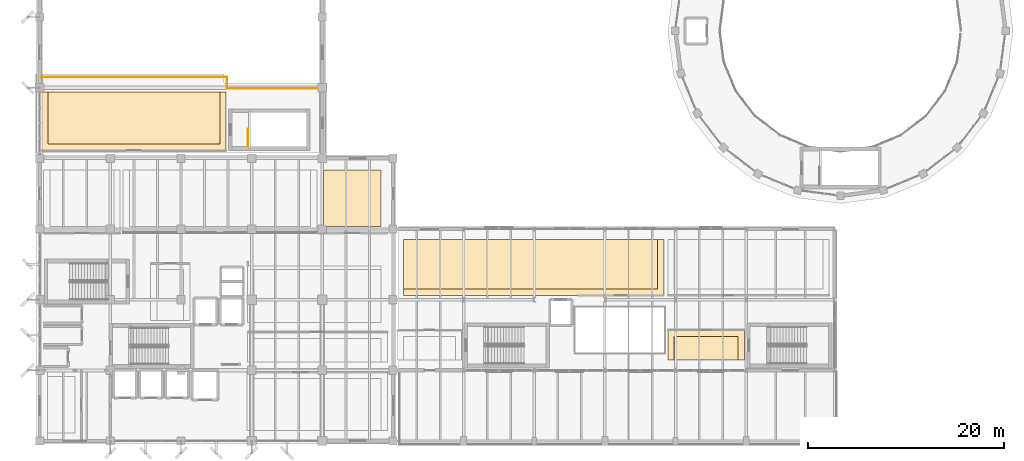
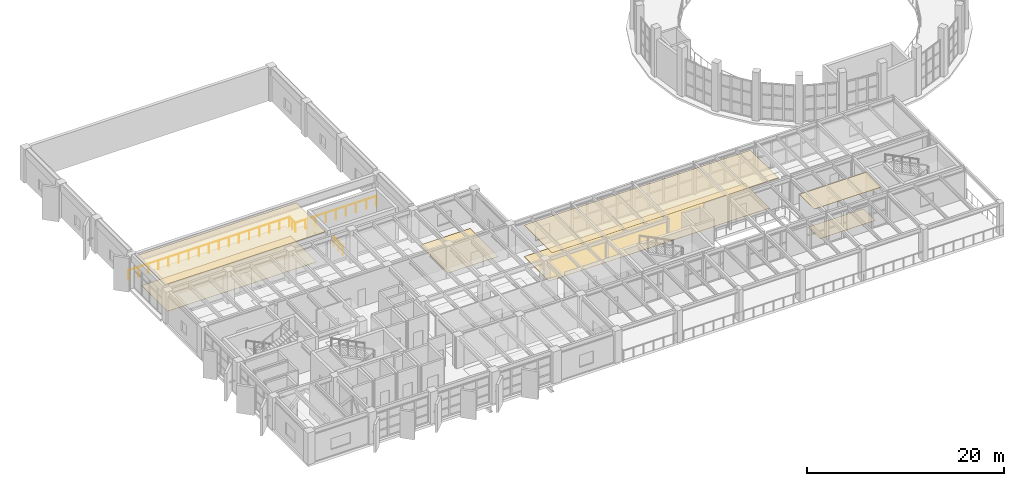
# One storey, part 57 of 59: 7 coverings, 2 railings.
"""IFC4 building model written with IfcOpenShell, lengths in metres."""

from ifc_helpers import new_model, si_unit, direction, frame, origin, origin_2d, place, context, subcontext, project, spatial, polyline, circle, outline, extrude, material, layer, layer_set, type_object, element, save


model = new_model("IFC4")

# Units and contexts
model_context = context("Model", 3, precision=1e-05, world=origin(), true_north=direction((0.0, 1.0)))
body_context = subcontext(model_context, "Body", "Model", "MODEL_VIEW")
ifc_project = project(units=[si_unit("LENGTHUNIT", "METRE"), si_unit("AREAUNIT", "SQUARE_METRE"), si_unit("VOLUMEUNIT", "CUBIC_METRE"), si_unit("PLANEANGLEUNIT", "RADIAN"), si_unit("MASSUNIT", "GRAM", prefix="KILO")], contexts=[model_context])

# Site, building, storey
site_placement = place(None, origin())
site = spatial("IfcSite", under=ifc_project, at=site_placement, CompositionType="ELEMENT")
building_placement = place(site_placement, origin())
building = spatial("IfcBuilding", under=site, at=building_placement, Name="Kandorven Conservatory and Botanical Research Centre", CompositionType="ELEMENT")
storey_placement = place(building_placement, frame((0.0, 0.0, 4.800048828125)))
storey = spatial("IfcBuildingStorey", under=building, at=storey_placement, Name="L01", CompositionType="ELEMENT", Elevation=4.800048828125)

# Coverings
ifc_material_1 = material(Name="Perforated mineral-fibre acoustic ceiling tile", Category="gypsum")
ifc_layer_1 = layer(ifc_material_1, 0.0400390625)
ifc_layer_set_1 = layer_set([ifc_layer_1], Name="Perforated mineral-fibre acoustic ceiling tile")
covering_type_1 = type_object("IfcCoveringType", Name="Cov_Ceiling_1", PredefinedType="CEILING", material=ifc_layer_set_1)
covering_1_placement = place(storey_placement, frame((0.0, 0.0, 3.889892578125)))
element("IfcCovering", 1, at=covering_1_placement, inside=storey, type_object=covering_type_1, Name="Suspended acoustic ceiling CLG-01 (Sacred Groves of Western India Exhibition Gallery)", PredefinedType="CEILING", context=body_context, shape_type="SweptSolid", body=[
    extrude(outline(polyline([(70.0, 14.25), (77.800048828125, 14.25), (77.800048828125, 17.300048828125), (70.0, 17.300048828125), (70.0, 14.25)])), origin(), (0.0, 0.0, 1.0), 0.0400390625),
])
covering_2_placement = place(storey_placement, frame((0.0, 0.0, 3.889892578125)))
element("IfcCovering", 2, at=covering_2_placement, inside=storey, type_object=covering_type_1, Name="Suspended acoustic ceiling CLG-01 (Arid Lands Ecology Exhibition Gallery)", PredefinedType="CEILING", context=body_context, shape_type="SweptSolid", body=[
    extrude(outline(polyline([(43.050048828125, 20.85009765625), (69.60009765625, 20.85009765625), (69.60009765625, 26.550048828125), (43.050048828125, 26.550048828125), (43.050048828125, 20.85009765625)])), origin(), (0.0, 0.0, 1.0), 0.0400390625),
])
covering_3_placement = place(storey_placement, frame((0.0, 0.0, 3.889892578125)))
element("IfcCovering", 3, at=covering_3_placement, inside=storey, type_object=covering_type_1, Name="Suspended acoustic ceiling CLG-01 (Auditorium Projection Gallery and Acoustic Control Room)", PredefinedType="CEILING", context=body_context, shape_type="SweptSolid", body=[
    extrude(outline(polyline([(6.199951171875, 35.60009765625), (25.0, 35.60009765625), (25.0, 41.550048828125), (6.199951171875, 41.550048828125), (6.199951171875, 35.60009765625)])), origin(), (0.0, 0.0, 1.0), 0.0400390625),
])
ifc_material_2 = material(Name="Honed Kota stone and epoxy laboratory flooring", Category="masonry")
ifc_layer_2 = layer(ifc_material_2, 0.02490234375)
ifc_layer_set_2 = layer_set([ifc_layer_2], Name="Honed Kota stone and epoxy laboratory flooring")
covering_type_2 = type_object("IfcCoveringType", Name="Cov_Flooring_1", PredefinedType="FLOORING", material=ifc_layer_set_2)
covering_4_placement = place(storey_placement, origin())
element("IfcCovering", 4, at=covering_4_placement, inside=storey, type_object=covering_type_2, Name="Floor finish FLR-01 (Sacred Groves of Western India Exhibition Gallery)", PredefinedType="FLOORING", context=body_context, shape_type="SweptSolid", body=[
    extrude(outline(polyline([(70.64990234375, 14.25), (77.14990234375, 14.25), (77.14990234375, 16.64990234375), (70.64990234375, 16.64990234375), (70.64990234375, 14.25)])), origin(), (0.0, 0.0, 1.0), 0.02490234375),
])
covering_5_placement = place(storey_placement, origin())
element("IfcCovering", 5, at=covering_5_placement, inside=storey, type_object=covering_type_2, Name="Floor finish FLR-01 (Arid Lands Ecology Exhibition Gallery)", PredefinedType="FLOORING", context=body_context, shape_type="SweptSolid", body=[
    extrude(outline(polyline([(43.050048828125, 21.5), (68.949951171875, 21.5), (68.949951171875, 26.550048828125), (43.050048828125, 26.550048828125), (43.050048828125, 21.5)])), origin(), (0.0, 0.0, 1.0), 0.02490234375),
])
covering_6_placement = place(storey_placement, origin())
element("IfcCovering", 6, at=covering_6_placement, inside=storey, type_object=covering_type_2, Name="Floor finish FLR-01 (Auditorium Projection Gallery and Acoustic Control Room)", PredefinedType="FLOORING", context=body_context, shape_type="SweptSolid", body=[
    extrude(outline(polyline([(6.85009765625, 36.25), (24.35009765625, 36.25), (24.35009765625, 41.550048828125), (6.85009765625, 41.550048828125), (6.85009765625, 36.25)])), origin(), (0.0, 0.0, 1.0), 0.02490234375),
])
covering_7_placement = place(storey_placement, origin())
element("IfcCovering", 7, at=covering_7_placement, inside=storey, type_object=covering_type_2, Name="Floor finish FLR-01 (Botanical Voucher Specimen Intake Studio L01)", PredefinedType="FLOORING", context=body_context, shape_type="SweptSolid", body=[
    extrude(outline(polyline([(34.919921875, 27.85009765625), (40.800048828125, 27.85009765625), (40.800048828125, 33.60009765625), (34.919921875, 33.60009765625), (34.919921875, 27.85009765625)])), origin(), (0.0, 0.0, 1.0), 0.02490234375),
])

# Railings
ifc_material_3 = material(Name="Steel S355 (IS 2062 E350)", Category="steel")
railing_type_1 = type_object("IfcRailingType", Name="Guard_Terrace", PredefinedType="BALUSTRADE", material=ifc_material_3)
railing_1_placement = place(storey_placement, frame((6.199951171875, 43.10009765625, 0.0)))
element("IfcRailing", 8, at=railing_1_placement, inside=storey, type_object=railing_type_1, Name="Auditorium L01 balcony front guard balustrade GR-01", PredefinedType="BALUSTRADE", context=body_context, shape_type="SweptSolid", body=[
    extrude(circle(Radius=0.02392578125, at=origin_2d()), frame((0.0, 0.0, 1.17578125), z_axis=(1.0, 0.0, 0.0), x_axis=(0.0, 1.0, 0.0)), (0.0, 0.0, 1.0), 18.900146484375),
    extrude(circle(Radius=0.02392578125, at=origin_2d()), frame((18.900146484375, 0.0, 1.17578125), z_axis=(0.0, -1.0, 0.0), x_axis=(1.0, 0.0, 0.0)), (0.0, 0.0, 1.0), 1.2001953125),
    extrude(circle(Radius=0.02392578125, at=origin_2d()), frame((18.900146484375, -1.2001953125, 1.17578125), z_axis=(1.0, 0.0, 0.0), x_axis=(0.0, 1.0, 0.0)), (0.0, 0.0, 1.0), 9.5),
    extrude(circle(Radius=0.02099609375, at=origin_2d()), origin(), (0.0, 0.0, 1.0), 1.15185546875),
    extrude(circle(Radius=0.02099609375, at=origin_2d()), frame((1.18115234375, 0.0, 0.0)), (0.0, 0.0, 1.0), 1.15185546875),
    extrude(circle(Radius=0.02099609375, at=origin_2d()), frame((2.362548828125, 0.0, 0.0)), (0.0, 0.0, 1.0), 1.15185546875),
    extrude(circle(Radius=0.02099609375, at=origin_2d()), frame((3.543701171875, 0.0, 0.0)), (0.0, 0.0, 1.0), 1.15185546875),
    extrude(circle(Radius=0.02099609375, at=origin_2d()), frame((4.72509765625, 0.0, 0.0)), (0.0, 0.0, 1.0), 1.15185546875),
    extrude(circle(Radius=0.02099609375, at=origin_2d()), frame((5.90625, 0.0, 0.0)), (0.0, 0.0, 1.0), 1.15185546875),
    extrude(circle(Radius=0.02099609375, at=origin_2d()), frame((7.087646484375, 0.0, 0.0)), (0.0, 0.0, 1.0), 1.15185546875),
    extrude(circle(Radius=0.02099609375, at=origin_2d()), frame((8.268798828125, 0.0, 0.0)), (0.0, 0.0, 1.0), 1.15185546875),
    extrude(circle(Radius=0.02099609375, at=origin_2d()), frame((9.4501953125, 0.0, 0.0)), (0.0, 0.0, 1.0), 1.15185546875),
    extrude(circle(Radius=0.02099609375, at=origin_2d()), frame((10.63134765625, 0.0, 0.0)), (0.0, 0.0, 1.0), 1.15185546875),
    extrude(circle(Radius=0.02099609375, at=origin_2d()), frame((11.8125, 0.0, 0.0)), (0.0, 0.0, 1.0), 1.15185546875),
    extrude(circle(Radius=0.02099609375, at=origin_2d()), frame((12.993896484375, 0.0, 0.0)), (0.0, 0.0, 1.0), 1.15185546875),
    extrude(circle(Radius=0.02099609375, at=origin_2d()), frame((14.175048828125, 0.0, 0.0)), (0.0, 0.0, 1.0), 1.15185546875),
    extrude(circle(Radius=0.02099609375, at=origin_2d()), frame((15.3564453125, 0.0, 0.0)), (0.0, 0.0, 1.0), 1.15185546875),
    extrude(circle(Radius=0.02099609375, at=origin_2d()), frame((16.53759765625, 0.0, 0.0)), (0.0, 0.0, 1.0), 1.15185546875),
    extrude(circle(Radius=0.02099609375, at=origin_2d()), frame((17.718994140625, 0.0, 0.0)), (0.0, 0.0, 1.0), 1.15185546875),
    extrude(circle(Radius=0.02099609375, at=origin_2d()), frame((18.900146484375, 0.0, 0.0)), (0.0, 0.0, 1.0), 1.15185546875),
    extrude(circle(Radius=0.02099609375, at=origin_2d()), frame((18.900146484375, -0.60009765625, 0.0)), (0.0, 0.0, 1.0), 1.15185546875),
    extrude(circle(Radius=0.02099609375, at=origin_2d()), frame((18.900146484375, -1.2001953125, 0.0)), (0.0, 0.0, 1.0), 1.15185546875),
    extrude(circle(Radius=0.02099609375, at=origin_2d()), frame((20.087646484375, -1.2001953125, 0.0)), (0.0, 0.0, 1.0), 1.15185546875),
    extrude(circle(Radius=0.02099609375, at=origin_2d()), frame((21.275146484375, -1.2001953125, 0.0)), (0.0, 0.0, 1.0), 1.15185546875),
    extrude(circle(Radius=0.02099609375, at=origin_2d()), frame((22.462646484375, -1.2001953125, 0.0)), (0.0, 0.0, 1.0), 1.15185546875),
    extrude(circle(Radius=0.02099609375, at=origin_2d()), frame((23.650146484375, -1.2001953125, 0.0)), (0.0, 0.0, 1.0), 1.15185546875),
    extrude(circle(Radius=0.02099609375, at=origin_2d()), frame((24.837646484375, -1.2001953125, 0.0)), (0.0, 0.0, 1.0), 1.15185546875),
    extrude(circle(Radius=0.02099609375, at=origin_2d()), frame((26.025146484375, -1.2001953125, 0.0)), (0.0, 0.0, 1.0), 1.15185546875),
    extrude(circle(Radius=0.02099609375, at=origin_2d()), frame((27.212646484375, -1.2001953125, 0.0)), (0.0, 0.0, 1.0), 1.15185546875),
    extrude(circle(Radius=0.02099609375, at=origin_2d()), frame((28.400146484375, -1.2001953125, 0.0)), (0.0, 0.0, 1.0), 1.15185546875),
])
ifc_material_4 = material(Name="Steel S355 (IS 2062 E350)", Category="steel")
railing_type_2 = type_object("IfcRailingType", Name="StairGuard_1150", PredefinedType="BALUSTRADE", material=ifc_material_4)
railing_2_placement = place(storey_placement, frame((27.25, 36.0, 0.0)))
element("IfcRailing", 9, at=railing_2_placement, inside=storey, type_object=railing_type_2, Name="L01 ST-V2 top well guard 1", PredefinedType="BALUSTRADE", context=body_context, shape_type="SweptSolid", body=[
    extrude(circle(Radius=0.02392578125, at=origin_2d()), frame((0.0, 0.0, 1.17578125), z_axis=(0.0, 1.0, 0.0), x_axis=(-1.0, 0.0, 0.0)), (0.0, 0.0, 1.0), 1.800048828125),
    extrude(circle(Radius=0.02099609375, at=origin_2d()), origin(), (0.0, 0.0, 1.0), 1.15185546875),
    extrude(circle(Radius=0.02099609375, at=origin_2d()), frame((0.0, 0.89990234375, 0.0)), (0.0, 0.0, 1.0), 1.15185546875),
    extrude(circle(Radius=0.02099609375, at=origin_2d()), frame((0.0, 1.800048828125, 0.0)), (0.0, 0.0, 1.0), 1.15185546875),
])

save(model, "model.ifc")
